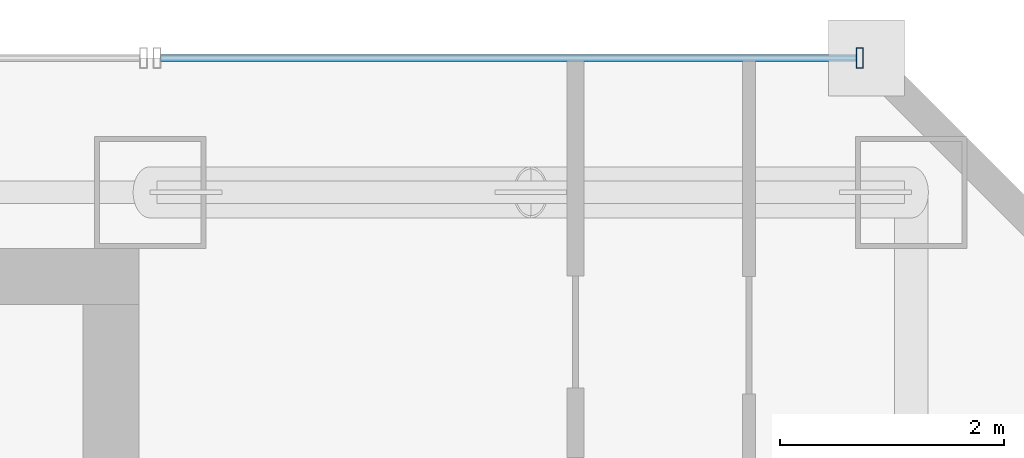
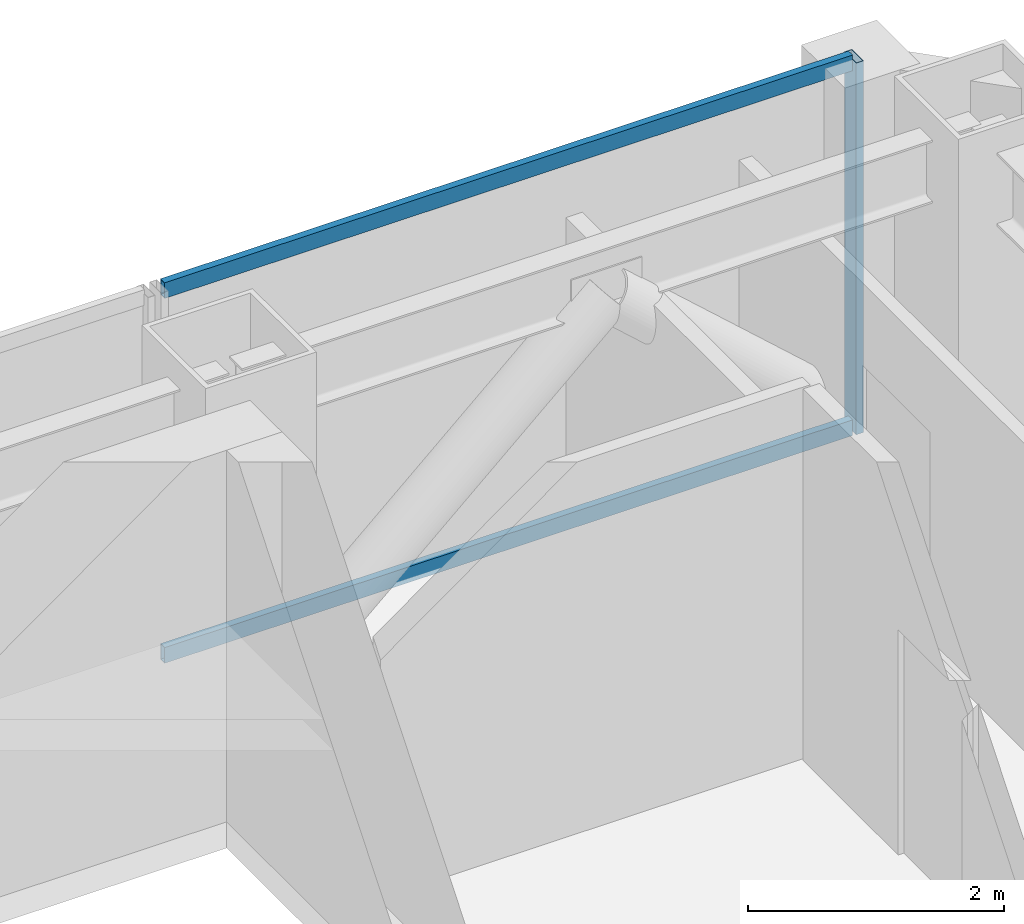
# One storey, part 28 of 37: 3 members, 1 element without a shape of its own.
"""IFC4 building model written with IfcOpenShell, lengths in metres."""

from ifc_helpers import new_model, si_unit, direction, frame, origin, origin_2d, place, context, subcontext, project, spatial, hollow_rectangle, extrude, material, material_profile, profile_set, type_object, element, aggregate, save


model = new_model("IFC4")

# Units and contexts
model_context = context("Model", 3, precision=1e-05, world=origin(), true_north=direction((0.0, 1.0)))
body_context = subcontext(model_context, "Body", "Model", "MODEL_VIEW")
ifc_project = project(units=[si_unit("LENGTHUNIT", "METRE"), si_unit("AREAUNIT", "SQUARE_METRE"), si_unit("VOLUMEUNIT", "CUBIC_METRE"), si_unit("PLANEANGLEUNIT", "RADIAN"), si_unit("MASSUNIT", "GRAM", prefix="KILO")], contexts=[model_context])

# Site, building, storey
site_placement = place(None, origin())
site = spatial("IfcSite", under=ifc_project, at=site_placement, CompositionType="ELEMENT")
building_placement = place(site_placement, origin())
building = spatial("IfcBuilding", under=site, at=building_placement, Name="Saevonmaru Cultural Tower", CompositionType="ELEMENT")
storey_placement = place(building_placement, frame((0.0, 0.0, 141.0)))
storey = spatial("IfcBuildingStorey", under=building, at=storey_placement, Name="L30", CompositionType="ELEMENT", Elevation=141.0)

# Curtain wall, members
ifc_material = material(Name="Satin Bronze Anodised Aluminium", Category="aluminium")
curtain_wall_type = type_object("IfcCurtainWallType", Name="CW-TYP-A", PredefinedType="NOTDEFINED", material=ifc_material)
curtain_wall_placement = place(storey_placement, origin())
curtain_wall = element("IfcCurtainWall", 1, at=curtain_wall_placement, inside=storey, type_object=curtain_wall_type, Name="L30 East Braced Bay Spandrel Curtain Wall E10A", PredefinedType="NOTDEFINED")
ifc_material_profile_1 = material_profile(ifc_material, hollow_rectangle(XDim=0.06494140625, YDim=0.179931640625, WallThickness=0.00390625, at=origin_2d()), Name="ALU-MULL-180x65x4")
ifc_profile_set_1 = profile_set([ifc_material_profile_1], Name="Satin Bronze Anodised Aluminium")
member_type_1 = type_object("IfcMemberType", Name="ML-CW-180x65", PredefinedType="MULLION", material=ifc_profile_set_1)
member_1_placement = place(storey_placement, frame((52.739990234375, 56.0, 0.0), z_axis=(0.0, 0.0, 1.0), x_axis=(-1.0, 0.0, 0.0)))
member_1 = element("IfcMember", 2, at=member_1_placement, type_object=member_type_1, Name="CW-TW-L30-E10A mullion 1", PredefinedType="MULLION", context=body_context, shape_type="SweptSolid", body=[
    extrude(hollow_rectangle(XDim=0.06494140625, YDim=0.179931640625, WallThickness=0.00390625, at=origin_2d()), origin(), (0.0, 0.0, 1.0), 3.550048828125),
])
ifc_material_profile_2 = material_profile(ifc_material, hollow_rectangle(XDim=0.06494140625, YDim=0.14990234375, WallThickness=0.00390625, at=origin_2d()), Name="ALU-TRAN-150x65x4")
ifc_profile_set_2 = profile_set([ifc_material_profile_2], Name="Satin Bronze Anodised Aluminium")
member_type_2 = type_object("IfcMemberType", Name="TR-CW-150x65", PredefinedType="USERDEFINED", material=ifc_profile_set_2)
member_2_placement = place(storey_placement, frame((52.70751953125, 56.0, 0.032470703125), z_axis=(-1.0, 0.0, 0.0), x_axis=(0.0, -1.0, 0.0)))
member_2 = element("IfcMember", 3, at=member_2_placement, type_object=member_type_2, Name="CW-TW-L30-E10A transom 1.1", ObjectType="TRANSOM", PredefinedType="USERDEFINED", context=body_context, shape_type="SweptSolid", body=[
    extrude(hollow_rectangle(XDim=0.06494140625, YDim=0.14990234375, WallThickness=0.00390625, at=origin_2d()), origin(), (0.0, 0.0, 1.0), 6.215087890625),
])
member_3_placement = place(storey_placement, frame((52.70751953125, 56.0, 3.517578125), z_axis=(-1.0, 0.0, 0.0), x_axis=(0.0, -1.0, 0.0)))
member_3 = element("IfcMember", 4, at=member_3_placement, type_object=member_type_2, Name="CW-TW-L30-E10A transom 1.2", ObjectType="TRANSOM", PredefinedType="USERDEFINED", context=body_context, shape_type="SweptSolid", body=[
    extrude(hollow_rectangle(XDim=0.06494140625, YDim=0.14990234375, WallThickness=0.00390625, at=origin_2d()), origin(), (0.0, 0.0, 1.0), 6.215087890625),
])
aggregate(curtain_wall, [member_1, member_2, member_3])

save(model, "model.ifc")
